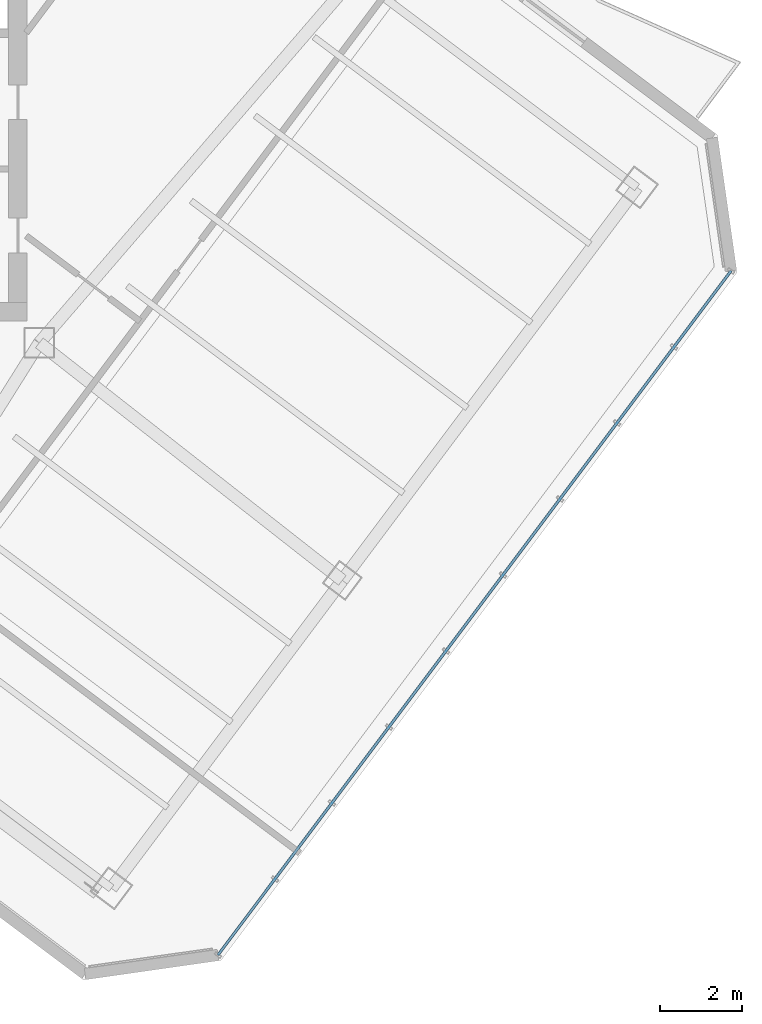
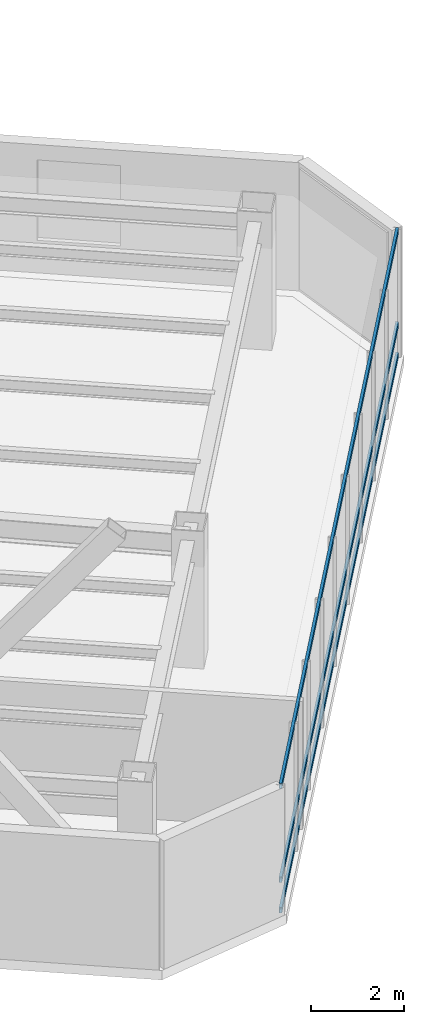
# One storey, part 12 of 24: 3 members, 1 element without a shape of its own.
"""IFC4 building model written with IfcOpenShell, lengths in metres."""

import ifcopenshell
import ifcopenshell.guid

model = None  # the IFC model being written
_history = None  # IfcOwnerHistory: only IFC2X3 demands one
_inside = {}  # id of a spatial element -> (the spatial element, [elements in it])
_under = {}  # id of a project, library or spatial element -> (it, [spatial elements below it])
_declared = {}  # id of a project -> (the project, [libraries it declares])
_typed = {}  # id of a type object -> (the type object, [elements of that type])
_made_of = {}  # id of a material, layer set ... -> (it, [elements and type objects made of it])


def new_model(schema):
    """Start an empty IFC model of exactly this schema.

    Asked for "IFC4X3", IfcOpenShell would pick the latest addendum, in which some entities
    have other attributes; the version numbers below select the first issue.
    IFC2X3 requires an IfcOwnerHistory on every rooted entity: one is made here for all.
    """
    global model, _history
    if schema == "IFC4X3":
        model = ifcopenshell.file(schema_version=(4, 3, 0, 0))
    else:
        model = ifcopenshell.file(schema=schema)
    _inside.clear()
    _under.clear()
    _declared.clear()
    _typed.clear()
    _made_of.clear()
    _history = None
    if model.schema == "IFC2X3":
        org = make("IfcOrganization", Name="unknown")
        user = make(
            "IfcPersonAndOrganization",
            ThePerson=make("IfcPerson", FamilyName="unknown"),
            TheOrganization=org,
        )
        app = make(
            "IfcApplication",
            ApplicationDeveloper=org,
            Version="unknown",
            ApplicationFullName="unknown",
            ApplicationIdentifier="unknown",
        )
        _history = make(
            "IfcOwnerHistory",
            OwningUser=user,
            OwningApplication=app,
            ChangeAction="ADDED",
            CreationDate=0,
        )
    return model


def make(cls, **values):
    """One entity of the class cls with the attributes given. An attribute that is None is left unset."""
    return model.create_entity(
        cls, **{name: value for name, value in values.items() if value is not None}
    )


def rooted(cls, **values):
    """An entity with a GlobalId (a new one), such as an element, a storey or a relation."""
    return make(cls, GlobalId=ifcopenshell.guid.new(), OwnerHistory=_history, **values)


def si_unit(unit_type, name, prefix=None):
    """IfcSIUnit, for example si_unit("LENGTHUNIT", "METRE", prefix="MILLI")."""
    return make("IfcSIUnit", UnitType=unit_type, Prefix=prefix, Name=name)


def assignment(units):
    """IfcUnitAssignment: the units of a project."""
    return None if units is None else make("IfcUnitAssignment", Units=units)


def point(xyz):
    """IfcCartesianPoint."""
    return None if xyz is None else make("IfcCartesianPoint", Coordinates=xyz)


def direction(xyz):
    """IfcDirection."""
    return None if xyz is None else make("IfcDirection", DirectionRatios=xyz)


def frame(location, z_axis=None, x_axis=None):
    """IfcAxis2Placement3D, a coordinate frame: its origin and axes. An axis left out is left unset."""
    return make(
        "IfcAxis2Placement3D",
        Location=point(location),
        Axis=direction(z_axis),
        RefDirection=direction(x_axis),
    )


def frame_2d(location, x_axis=None):
    """IfcAxis2Placement2D, a coordinate frame in the plane: its origin and x axis."""
    return make(
        "IfcAxis2Placement2D", Location=point(location), RefDirection=direction(x_axis)
    )


def origin():
    """The frame at (0, 0, 0) with its axes left unset."""
    return frame((0.0, 0.0, 0.0))


def origin_2d():
    """The frame at (0, 0) in the plane with its x axis left unset."""
    return frame_2d((0.0, 0.0))


def place(relative_to, where):
    """IfcLocalPlacement: puts the frame where relative to a parent placement (None: the world)."""
    return make(
        "IfcLocalPlacement", PlacementRelTo=relative_to, RelativePlacement=where
    )


def context(
    kind, dimensions, precision=None, world=None, true_north=None, identifier=None
):
    """IfcGeometricRepresentationContext, for example the 3D "Model" context."""
    return make(
        "IfcGeometricRepresentationContext",
        ContextIdentifier=identifier,
        ContextType=kind,
        CoordinateSpaceDimension=dimensions,
        Precision=precision,
        WorldCoordinateSystem=world,
        TrueNorth=true_north,
    )


def subcontext(parent, identifier, kind, view, scale=None):
    """IfcGeometricRepresentationSubContext, for example "Body" below "Model"."""
    return make(
        "IfcGeometricRepresentationSubContext",
        ContextIdentifier=identifier,
        ContextType=kind,
        ParentContext=parent,
        TargetScale=scale,
        TargetView=view,
    )


def project(units=None, contexts=None):
    """IfcProject with its units and contexts."""
    return rooted(
        "IfcProject",
        Name="project",
        RepresentationContexts=contexts,
        UnitsInContext=assignment(units),
    )


def spatial(cls, under=None, at=None, **own):
    """A site, building, storey or space (cls), placed at a placement, below another one or the project."""
    s = rooted(cls, ObjectPlacement=at, **own)
    if under is not None:
        _under.setdefault(under.id(), (under, []))[1].append(s)
    return s


def profile(cls, at=None, kind="AREA", **sizes):
    """A parametric profile (cls). Its sizes go by their IFC names, for example OverallWidth=200.0."""
    return make(cls, ProfileType=kind, Position=at, **sizes)


def hollow_rectangle(**sizes):
    """IfcRectangleHollowProfileDef."""
    return profile("IfcRectangleHollowProfileDef", **sizes)


def extrude(swept, where, along, depth):
    """IfcExtrudedAreaSolid: the profile swept, set in the frame where, extruded along a direction by depth."""
    return make(
        "IfcExtrudedAreaSolid",
        SweptArea=swept,
        Position=where,
        ExtrudedDirection=direction(along),
        Depth=depth,
    )


def shape(context_of_items, identifier, shape_type, items):
    """IfcShapeRepresentation: the items that make up one representation, for example the "Body"."""
    return make(
        "IfcShapeRepresentation",
        ContextOfItems=context_of_items,
        RepresentationIdentifier=identifier,
        RepresentationType=shape_type,
        Items=items,
    )


def material(Name=None, Category=None):
    """IfcMaterial."""
    return make("IfcMaterial", Name=Name, Category=Category)


def layer(
    of_material, thickness, ventilated=None, Name=None, Category=None, Priority=None
):
    """IfcMaterialLayer: one layer of a wall or slab, of a material (None: an air gap)."""
    return make(
        "IfcMaterialLayer",
        Material=of_material,
        LayerThickness=thickness,
        IsVentilated=ventilated,
        Name=Name,
        Category=Category,
        Priority=Priority,
    )


def layer_set(layers, Name=None):
    """IfcMaterialLayerSet."""
    return make("IfcMaterialLayerSet", MaterialLayers=layers, LayerSetName=Name)


def material_profile(
    of_material, cross_section, Name=None, Category=None, Priority=None
):
    """IfcMaterialProfile: a cross section and its material."""
    return make(
        "IfcMaterialProfile",
        Name=Name,
        Material=of_material,
        Profile=cross_section,
        Priority=Priority,
        Category=Category,
    )


def profile_set(profiles, Name=None, composite=None):
    """IfcMaterialProfileSet."""
    return make(
        "IfcMaterialProfileSet",
        Name=Name,
        MaterialProfiles=profiles,
        CompositeProfile=composite,
    )


def made_of(thing, what):
    """Note that an element or type object is made of a material, layer set ...; save() writes the relation."""
    if what is not None:
        _made_of.setdefault(what.id(), (what, []))[1].append(thing)
    return thing


def type_object(cls, material=None, **own):
    """A type object (cls), such as IfcWallType, which elements share."""
    return made_of(rooted(cls, **own), material)


def element(
    cls,
    number,
    at=None,
    inside=None,
    cuts=None,
    type_object=None,
    material=None,
    context=None,
    identifier="Body",
    shape_type=None,
    held_by="IfcProductDefinitionShape",
    body=None,
    shapes=None,
    **own,
):
    """One element of the class cls, such as IfcWall. Its Tag is "e" and its number.

    at: its placement. inside: the storey or other place that contains it. cuts: it is an
    opening in that element (IfcRelVoidsElement). A single representation is given by context,
    identifier, shape_type and body (its items); several are given by shapes. held_by: the class
    of the entity that holds the representations. save() writes the other relations.
    """
    e = rooted(cls, Tag="e%d" % number, ObjectPlacement=at, **own)
    if body is not None:
        shapes = [shape(context, identifier, shape_type, body)]
    if shapes is not None:
        e.Representation = make(held_by, Representations=shapes)
    if inside is not None:
        _inside.setdefault(inside.id(), (inside, []))[1].append(e)
    if cuts is not None:
        rooted(
            "IfcRelVoidsElement", RelatingBuildingElement=cuts, RelatedOpeningElement=e
        )
    if type_object is not None:
        _typed.setdefault(type_object.id(), (type_object, []))[1].append(e)
    return made_of(e, material)


def aggregate(whole, parts):
    """IfcRelAggregates: a whole, such as a stair, and the parts it consists of."""
    return rooted("IfcRelAggregates", RelatingObject=whole, RelatedObjects=parts)


def save(model, path):
    """Write the relations noted so far, then the file.

    IfcRelAggregates (storeys below a building ...), IfcRelContainedInSpatialStructure (elements
    in a storey), IfcRelDefinesByType, IfcRelAssociatesMaterial and IfcRelDeclares: one each for
    every whole, place, type object, material and project.
    """
    for whole, parts in _under.values():
        aggregate(whole, parts)
    for where, things in _inside.values():
        rooted(
            "IfcRelContainedInSpatialStructure",
            RelatedElements=things,
            RelatingStructure=where,
        )
    for kind, things in _typed.values():
        rooted("IfcRelDefinesByType", RelatedObjects=things, RelatingType=kind)
    for what, things in _made_of.values():
        rooted("IfcRelAssociatesMaterial", RelatedObjects=things, RelatingMaterial=what)
    for by, libraries in _declared.values():
        rooted("IfcRelDeclares", RelatingContext=by, RelatedDefinitions=libraries)
    model.write(path)


model = new_model("IFC4")

# Units and contexts
model_context = context("Model", 3, precision=1e-05, world=origin(), true_north=direction((0.0, 1.0)))
body_context = subcontext(model_context, "Body", "Model", "MODEL_VIEW")
ifc_project = project(units=[si_unit("LENGTHUNIT", "METRE"), si_unit("AREAUNIT", "SQUARE_METRE"), si_unit("VOLUMEUNIT", "CUBIC_METRE"), si_unit("PLANEANGLEUNIT", "RADIAN"), si_unit("MASSUNIT", "GRAM", prefix="KILO")], contexts=[model_context])

# Site, building, storey
site_placement = place(None, origin())
site = spatial("IfcSite", under=ifc_project, at=site_placement, CompositionType="ELEMENT")
building_placement = place(site_placement, origin())
building = spatial("IfcBuilding", under=site, at=building_placement, Name="Hatsunagi Terrace Concourse", CompositionType="ELEMENT")
storey_placement = place(building_placement, frame((0.0, 0.0, 191.550048828125)))
storey = spatial("IfcBuildingStorey", under=building, at=storey_placement, Name="L50", CompositionType="ELEMENT", Elevation=191.550048828125)

# Curtain wall, members
ifc_material_1 = material(Name="Anodised Aluminium Alloy 6063-T5", Category="aluminium")
ifc_layer = layer(ifc_material_1, 0.199951171875)
ifc_layer_set = layer_set([ifc_layer], Name="OfficeZone2_CW04")
curtain_wall_type = type_object("IfcCurtainWallType", Name="OfficeZone2_CW04", PredefinedType="NOTDEFINED", material=ifc_layer_set)
curtain_wall_placement = place(storey_placement, origin())
curtain_wall = element("IfcCurtainWall", 1, at=curtain_wall_placement, inside=storey, type_object=curtain_wall_type, Name="Unitised Curtain Wall CW-04 CW-L50-03", PredefinedType="NOTDEFINED")
ifc_material_2 = material(Name="Anodised Aluminium Alloy 6063-T5", Category="aluminium")
ifc_material_profile = material_profile(ifc_material_2, hollow_rectangle(XDim=0.06494140625, YDim=0.139892578125, WallThickness=0.00390625, at=origin_2d()), Name="ALU-TRN-140x65x4")
ifc_profile_set = profile_set([ifc_material_profile], Name="Anodised Aluminium Alloy 6063-T5")
member_type = type_object("IfcMemberType", Name="CurtainWallTransom_140x65", PredefinedType="USERDEFINED", material=ifc_profile_set)
member_1_placement = place(storey_placement, frame((60.693115234375, 25.9580078125, 0.050048828125), z_axis=(-0.599970072971, -0.800022444397, 0.0), x_axis=(0.800022444397, -0.599970072971, 0.0)))
member_1 = element("IfcMember", 2, at=member_1_placement, type_object=member_type, Name="Curtain Wall Transom TRN-02", ObjectType="TRANSOM", PredefinedType="USERDEFINED", context=body_context, shape_type="SweptSolid", body=[
    extrude(hollow_rectangle(XDim=0.06494140625, YDim=0.139892578125, WallThickness=0.00390625, at=origin_2d()), origin(), (0.0, 0.0, 1.0), 20.884521484375),
])
member_2_placement = place(storey_placement, frame((60.693115234375, 25.9580078125, 0.849853515625), z_axis=(-0.599970072971, -0.800022444397, 0.0), x_axis=(0.800022444397, -0.599970072971, 0.0)))
member_2 = element("IfcMember", 3, at=member_2_placement, type_object=member_type, Name="Curtain Wall Transom TRN-02", ObjectType="TRANSOM", PredefinedType="USERDEFINED", context=body_context, shape_type="SweptSolid", body=[
    extrude(hollow_rectangle(XDim=0.06494140625, YDim=0.139892578125, WallThickness=0.00390625, at=origin_2d()), origin(), (0.0, 0.0, 1.0), 20.884521484375),
])
member_3_placement = place(storey_placement, frame((60.693115234375, 25.9580078125, 3.300048828125), z_axis=(-0.599970072971, -0.800022444397, 0.0), x_axis=(0.800022444397, -0.599970072971, 0.0)))
member_3 = element("IfcMember", 4, at=member_3_placement, type_object=member_type, Name="Curtain Wall Transom TRN-02", ObjectType="TRANSOM", PredefinedType="USERDEFINED", context=body_context, shape_type="SweptSolid", body=[
    extrude(hollow_rectangle(XDim=0.06494140625, YDim=0.139892578125, WallThickness=0.00390625, at=origin_2d()), origin(), (0.0, 0.0, 1.0), 20.884521484375),
])
aggregate(curtain_wall, [member_1, member_2, member_3])

save(model, "model.ifc")
